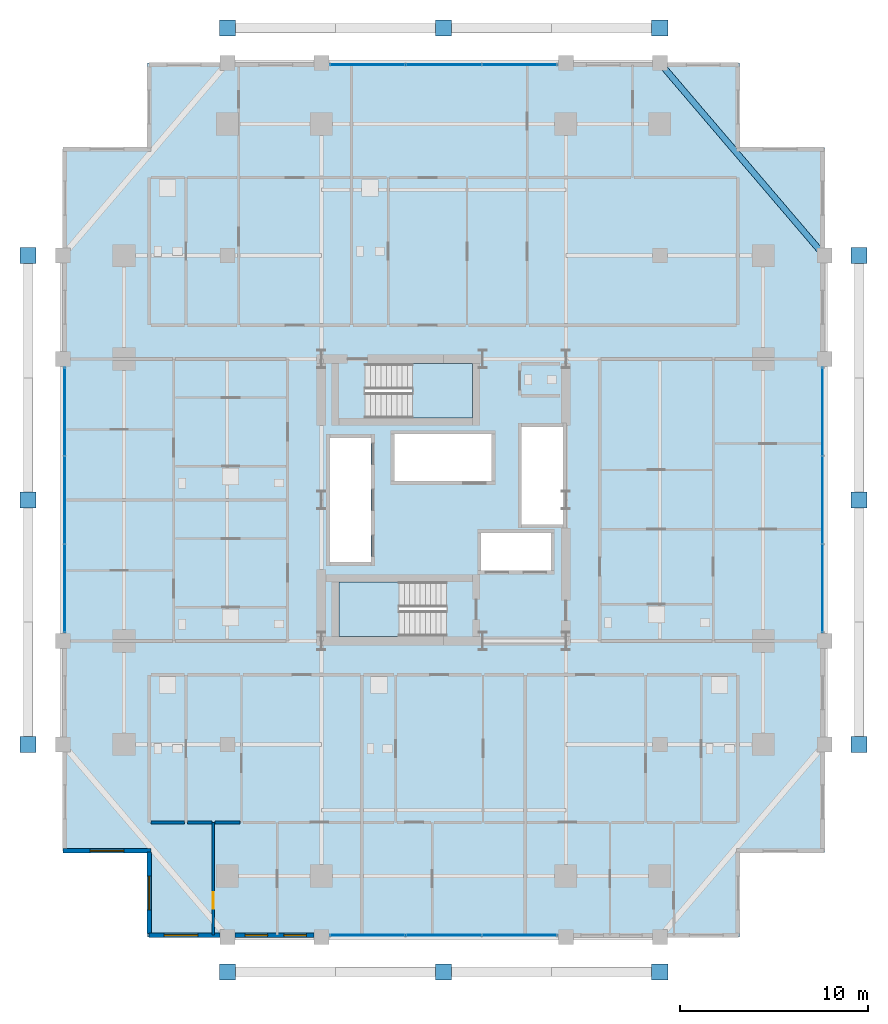
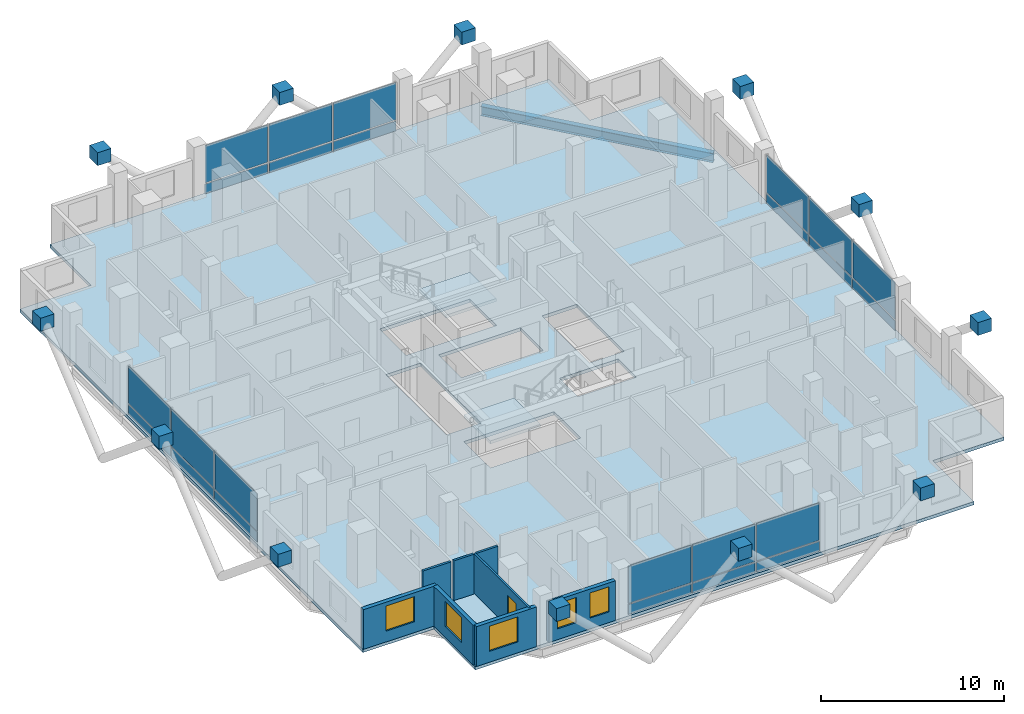
# One storey, part 16 of 23: 36 plates, 8 walls, 5 windows, 3 slabs, 1 beam, 1 door, 6 openings, 6 elements without a shape of their own.
"""IFC4 building model written with IfcOpenShell, lengths in metres."""

from ifc_helpers import new_model, si_unit, direction, frame, frame_2d, origin, origin_2d, place, context, subcontext, project, spatial, polyline, rectangle, i_section, outline, extrude, material, layer, layer_set, material_profile, profile_set, type_object, element, fill, aggregate, save


model = new_model("IFC4")

# Units and contexts
model_context = context("Model", 3, precision=1e-05, world=origin(), true_north=direction((0.0, 1.0)))
body_context = subcontext(model_context, "Body", "Model", "MODEL_VIEW")
ifc_project = project(units=[si_unit("LENGTHUNIT", "METRE"), si_unit("AREAUNIT", "SQUARE_METRE"), si_unit("VOLUMEUNIT", "CUBIC_METRE"), si_unit("PLANEANGLEUNIT", "RADIAN"), si_unit("MASSUNIT", "GRAM", prefix="KILO")], contexts=[model_context])

# Site, building, storey
site_placement = place(None, origin())
site = spatial("IfcSite", under=ifc_project, at=site_placement, CompositionType="ELEMENT")
building_placement = place(site_placement, origin())
building = spatial("IfcBuilding", under=site, at=building_placement, Name="Barlavira Tower and Art Museum", CompositionType="ELEMENT")
storey_placement = place(building_placement, frame((0.0, 0.0, 117.0)))
storey = spatial("IfcBuildingStorey", under=building, at=storey_placement, Name="L29", CompositionType="ELEMENT", Elevation=117.0)

# Beam
ifc_material_1 = material(Name="Steel S355", Category="steel")
ifc_material_profile = material_profile(ifc_material_1, i_section(OverallWidth=0.327880859375, OverallDepth=0.62890625, WebThickness=0.013916015625, FlangeThickness=0.021484375, at=origin_2d()), Name="W610x174.0")
ifc_profile_set = profile_set([ifc_material_profile], Name="Steel S355")
beam_type = type_object("IfcBeamType", Name="Perimeter Spandrel Edge Beam W610x174 Steel S355", PredefinedType="SPANDREL", material=ifc_profile_set)
beam_placement = place(storey_placement, frame((20.25, 13.0, -0.534423828125), z_axis=(-0.649262379928, 0.760564502202, 0.0), x_axis=(-0.760564502202, -0.649262379928, 0.0)))
element("IfcBeam", 1, at=beam_placement, inside=storey, type_object=beam_type, Name="L29 Spandrel 8", PredefinedType="SPANDREL", context=body_context, shape_type="SweptSolid", body=[
    extrude(i_section(OverallWidth=0.327880859375, OverallDepth=0.62890625, WebThickness=0.013916015625, FlangeThickness=0.021484375, at=origin_2d()), origin(), (0.0, 0.0, 1.0), 13.476806640625),
])

# Curtain wall, plates
ifc_material_2 = material(Name="Low-iron coastal laminated glass", Category="glass")
ifc_layer_1 = layer(ifc_material_2, 0.18994140625, Name="Low-iron coastal laminated glass")
ifc_layer_set_1 = layer_set([ifc_layer_1], Name="Low-iron coastal laminated glass")
curtain_wall_type = type_object("IfcCurtainWallType", Name="Pale-Metal Unitised Curtain Wall Zone 2", PredefinedType="NOTDEFINED", material=ifc_layer_set_1)
curtain_wall_1_placement = place(storey_placement, origin())
curtain_wall_1 = element("IfcCurtainWall", 2, at=curtain_wall_1_placement, inside=storey, type_object=curtain_wall_type, Name="L29 Curtain Wall CW2-L29-S-B3", PredefinedType="NOTDEFINED")
ifc_material_3 = material(Name="Pale anodised aluminium", Category="aluminium")
ifc_layer_2 = layer(ifc_material_3, 0.044921875, Name="Pale anodised aluminium")
ifc_layer_set_2 = layer_set([ifc_layer_2], Name="Pale anodised aluminium")
plate_type_1 = type_object("IfcPlateType", Name="Curtain Wall Pale-Metal Spandrel Panel 45", PredefinedType="CURTAIN_PANEL", material=ifc_layer_set_2)
plate_1_placement = place(storey_placement, frame((-4.05322265625, -23.14990234375, 0.0400390625), z_axis=(0.0, 0.0, 1.0), x_axis=(1.0, 0.0, 0.0)))
plate_1 = element("IfcPlate", 3, at=plate_1_placement, type_object=plate_type_1, Name="CW2-L29-S-B3 Spandrel Panel 0", PredefinedType="CURTAIN_PANEL", context=body_context, shape_type="SweptSolid", body=[
    extrude(rectangle(XDim=3.953369140625, YDim=0.044921875, at=origin_2d()), origin(), (0.0, 0.0, 1.0), 0.64599609375),
])
plate_2_placement = place(storey_placement, frame((0.0, -23.14990234375, 0.0400390625), z_axis=(0.0, 0.0, 1.0), x_axis=(1.0, 0.0, 0.0)))
plate_2 = element("IfcPlate", 4, at=plate_2_placement, type_object=plate_type_1, Name="CW2-L29-S-B3 Spandrel Panel 1", PredefinedType="CURTAIN_PANEL", context=body_context, shape_type="SweptSolid", body=[
    extrude(rectangle(XDim=3.953369140625, YDim=0.044921875, at=origin_2d()), origin(), (0.0, 0.0, 1.0), 0.64599609375),
])
plate_3_placement = place(storey_placement, frame((4.05322265625, -23.14990234375, 0.0400390625), z_axis=(0.0, 0.0, 1.0), x_axis=(1.0, 0.0, 0.0)))
plate_3 = element("IfcPlate", 5, at=plate_3_placement, type_object=plate_type_1, Name="CW2-L29-S-B3 Spandrel Panel 2", PredefinedType="CURTAIN_PANEL", context=body_context, shape_type="SweptSolid", body=[
    extrude(rectangle(XDim=3.953369140625, YDim=0.044921875, at=origin_2d()), origin(), (0.0, 0.0, 1.0), 0.64599609375),
])

curtain_wall_2_placement = place(storey_placement, origin())
curtain_wall_2 = element("IfcCurtainWall", 6, at=curtain_wall_2_placement, inside=storey, type_object=curtain_wall_type, Name="L29 Curtain Wall CW2-L29-N-B3", PredefinedType="NOTDEFINED")
plate_4_placement = place(storey_placement, frame((4.05322265625, 23.14990234375, 0.0400390625), z_axis=(0.0, 0.0, 1.0), x_axis=(-1.0, 0.0, 0.0)))
plate_4 = element("IfcPlate", 7, at=plate_4_placement, type_object=plate_type_1, Name="CW2-L29-N-B3 Spandrel Panel 0", PredefinedType="CURTAIN_PANEL", context=body_context, shape_type="SweptSolid", body=[
    extrude(rectangle(XDim=3.953369140625, YDim=0.044921875, at=origin_2d()), origin(), (0.0, 0.0, 1.0), 0.64599609375),
])
plate_5_placement = place(storey_placement, frame((0.0, 23.14990234375, 0.0400390625), z_axis=(0.0, 0.0, 1.0), x_axis=(-1.0, 0.0, 0.0)))
plate_5 = element("IfcPlate", 8, at=plate_5_placement, type_object=plate_type_1, Name="CW2-L29-N-B3 Spandrel Panel 1", PredefinedType="CURTAIN_PANEL", context=body_context, shape_type="SweptSolid", body=[
    extrude(rectangle(XDim=3.953369140625, YDim=0.044921875, at=origin_2d()), origin(), (0.0, 0.0, 1.0), 0.64599609375),
])
plate_6_placement = place(storey_placement, frame((-4.05322265625, 23.14990234375, 0.0400390625), z_axis=(0.0, 0.0, 1.0), x_axis=(-1.0, 0.0, 0.0)))
plate_6 = element("IfcPlate", 9, at=plate_6_placement, type_object=plate_type_1, Name="CW2-L29-N-B3 Spandrel Panel 2", PredefinedType="CURTAIN_PANEL", context=body_context, shape_type="SweptSolid", body=[
    extrude(rectangle(XDim=3.953369140625, YDim=0.044921875, at=origin_2d()), origin(), (0.0, 0.0, 1.0), 0.64599609375),
])

curtain_wall_3_placement = place(storey_placement, origin())
curtain_wall_3 = element("IfcCurtainWall", 10, at=curtain_wall_3_placement, inside=storey, type_object=curtain_wall_type, Name="L29 Curtain Wall CW2-L29-W-B3", PredefinedType="NOTDEFINED")
plate_7_placement = place(storey_placement, frame((-20.14990234375, 4.719970703125, 0.0400390625), z_axis=(0.0, 0.0, 1.0), x_axis=(0.0, -1.0, 0.0)))
plate_7 = element("IfcPlate", 11, at=plate_7_placement, type_object=plate_type_1, Name="CW2-L29-W-B3 Spandrel Panel 0", PredefinedType="CURTAIN_PANEL", context=body_context, shape_type="SweptSolid", body=[
    extrude(rectangle(XDim=4.6201171875, YDim=0.044921875, at=origin_2d()), origin(), (0.0, 0.0, 1.0), 0.64599609375),
])
plate_8_placement = place(storey_placement, frame((-20.14990234375, 0.0, 0.0400390625), z_axis=(0.0, 0.0, 1.0), x_axis=(0.0, -1.0, 0.0)))
plate_8 = element("IfcPlate", 12, at=plate_8_placement, type_object=plate_type_1, Name="CW2-L29-W-B3 Spandrel Panel 1", PredefinedType="CURTAIN_PANEL", context=body_context, shape_type="SweptSolid", body=[
    extrude(rectangle(XDim=4.6201171875, YDim=0.044921875, at=origin_2d()), origin(), (0.0, 0.0, 1.0), 0.64599609375),
])
plate_9_placement = place(storey_placement, frame((-20.14990234375, -4.719970703125, 0.0400390625), z_axis=(0.0, 0.0, 1.0), x_axis=(0.0, -1.0, 0.0)))
plate_9 = element("IfcPlate", 13, at=plate_9_placement, type_object=plate_type_1, Name="CW2-L29-W-B3 Spandrel Panel 2", PredefinedType="CURTAIN_PANEL", context=body_context, shape_type="SweptSolid", body=[
    extrude(rectangle(XDim=4.6201171875, YDim=0.044921875, at=origin_2d()), origin(), (0.0, 0.0, 1.0), 0.64599609375),
])

curtain_wall_4_placement = place(storey_placement, origin())
curtain_wall_4 = element("IfcCurtainWall", 14, at=curtain_wall_4_placement, inside=storey, type_object=curtain_wall_type, Name="L29 Curtain Wall CW2-L29-E-B3", PredefinedType="NOTDEFINED")
plate_10_placement = place(storey_placement, frame((20.14990234375, -4.719970703125, 0.0400390625), z_axis=(0.0, 0.0, 1.0), x_axis=(0.0, 1.0, 0.0)))
plate_10 = element("IfcPlate", 15, at=plate_10_placement, type_object=plate_type_1, Name="CW2-L29-E-B3 Spandrel Panel 0", PredefinedType="CURTAIN_PANEL", context=body_context, shape_type="SweptSolid", body=[
    extrude(rectangle(XDim=4.6201171875, YDim=0.044921875, at=origin_2d()), origin(), (0.0, 0.0, 1.0), 0.64599609375),
])
plate_11_placement = place(storey_placement, frame((20.14990234375, 0.0, 0.0400390625), z_axis=(0.0, 0.0, 1.0), x_axis=(0.0, 1.0, 0.0)))
plate_11 = element("IfcPlate", 16, at=plate_11_placement, type_object=plate_type_1, Name="CW2-L29-E-B3 Spandrel Panel 1", PredefinedType="CURTAIN_PANEL", context=body_context, shape_type="SweptSolid", body=[
    extrude(rectangle(XDim=4.6201171875, YDim=0.044921875, at=origin_2d()), origin(), (0.0, 0.0, 1.0), 0.64599609375),
])
plate_12_placement = place(storey_placement, frame((20.14990234375, 4.719970703125, 0.0400390625), z_axis=(0.0, 0.0, 1.0), x_axis=(0.0, 1.0, 0.0)))
plate_12 = element("IfcPlate", 17, at=plate_12_placement, type_object=plate_type_1, Name="CW2-L29-E-B3 Spandrel Panel 2", PredefinedType="CURTAIN_PANEL", context=body_context, shape_type="SweptSolid", body=[
    extrude(rectangle(XDim=4.6201171875, YDim=0.044921875, at=origin_2d()), origin(), (0.0, 0.0, 1.0), 0.64599609375),
])

# Plate
ifc_layer_3 = layer(ifc_material_2, 0.028076171875, Name="Low-iron coastal laminated glass")
ifc_layer_set_3 = layer_set([ifc_layer_3], Name="Low-iron coastal laminated glass")
plate_type_2 = type_object("IfcPlateType", Name="Curtain Wall Vision Glazing Panel 28", PredefinedType="CURTAIN_PANEL", material=ifc_layer_set_3)
plate_13_placement = place(storey_placement, frame((-4.05322265625, -23.14990234375, 0.76611328125), z_axis=(0.0, 0.0, 1.0), x_axis=(1.0, 0.0, 0.0)))
plate_13 = element("IfcPlate", 18, at=plate_13_placement, type_object=plate_type_2, Name="CW2-L29-S-B3 Vision Glass Panel 0", PredefinedType="CURTAIN_PANEL", context=body_context, shape_type="SweptSolid", body=[
    extrude(rectangle(XDim=3.953369140625, YDim=0.028076171875, at=origin_2d()), origin(), (0.0, 0.0, 1.0), 2.493896484375),
])

plate_14_placement = place(storey_placement, frame((0.0, -23.14990234375, 0.76611328125), z_axis=(0.0, 0.0, 1.0), x_axis=(1.0, 0.0, 0.0)))
plate_14 = element("IfcPlate", 19, at=plate_14_placement, type_object=plate_type_2, Name="CW2-L29-S-B3 Vision Glass Panel 1", PredefinedType="CURTAIN_PANEL", context=body_context, shape_type="SweptSolid", body=[
    extrude(rectangle(XDim=3.953369140625, YDim=0.028076171875, at=origin_2d()), origin(), (0.0, 0.0, 1.0), 2.493896484375),
])

plate_15_placement = place(storey_placement, frame((4.05322265625, -23.14990234375, 0.76611328125), z_axis=(0.0, 0.0, 1.0), x_axis=(1.0, 0.0, 0.0)))
plate_15 = element("IfcPlate", 20, at=plate_15_placement, type_object=plate_type_2, Name="CW2-L29-S-B3 Vision Glass Panel 2", PredefinedType="CURTAIN_PANEL", context=body_context, shape_type="SweptSolid", body=[
    extrude(rectangle(XDim=3.953369140625, YDim=0.028076171875, at=origin_2d()), origin(), (0.0, 0.0, 1.0), 2.493896484375),
])

aggregate(curtain_wall_1, [plate_1, plate_13, plate_2, plate_14, plate_3, plate_15])

plate_16_placement = place(storey_placement, frame((4.05322265625, 23.14990234375, 0.76611328125), z_axis=(0.0, 0.0, 1.0), x_axis=(-1.0, 0.0, 0.0)))
plate_16 = element("IfcPlate", 21, at=plate_16_placement, type_object=plate_type_2, Name="CW2-L29-N-B3 Vision Glass Panel 0", PredefinedType="CURTAIN_PANEL", context=body_context, shape_type="SweptSolid", body=[
    extrude(rectangle(XDim=3.953369140625, YDim=0.028076171875, at=origin_2d()), origin(), (0.0, 0.0, 1.0), 2.493896484375),
])

plate_17_placement = place(storey_placement, frame((0.0, 23.14990234375, 0.76611328125), z_axis=(0.0, 0.0, 1.0), x_axis=(-1.0, 0.0, 0.0)))
plate_17 = element("IfcPlate", 22, at=plate_17_placement, type_object=plate_type_2, Name="CW2-L29-N-B3 Vision Glass Panel 1", PredefinedType="CURTAIN_PANEL", context=body_context, shape_type="SweptSolid", body=[
    extrude(rectangle(XDim=3.953369140625, YDim=0.028076171875, at=origin_2d()), origin(), (0.0, 0.0, 1.0), 2.493896484375),
])

plate_18_placement = place(storey_placement, frame((-4.05322265625, 23.14990234375, 0.76611328125), z_axis=(0.0, 0.0, 1.0), x_axis=(-1.0, 0.0, 0.0)))
plate_18 = element("IfcPlate", 23, at=plate_18_placement, type_object=plate_type_2, Name="CW2-L29-N-B3 Vision Glass Panel 2", PredefinedType="CURTAIN_PANEL", context=body_context, shape_type="SweptSolid", body=[
    extrude(rectangle(XDim=3.953369140625, YDim=0.028076171875, at=origin_2d()), origin(), (0.0, 0.0, 1.0), 2.493896484375),
])

aggregate(curtain_wall_2, [plate_4, plate_16, plate_5, plate_17, plate_6, plate_18])

plate_19_placement = place(storey_placement, frame((-20.14990234375, 4.719970703125, 0.76611328125), z_axis=(0.0, 0.0, 1.0), x_axis=(0.0, -1.0, 0.0)))
plate_19 = element("IfcPlate", 24, at=plate_19_placement, type_object=plate_type_2, Name="CW2-L29-W-B3 Vision Glass Panel 0", PredefinedType="CURTAIN_PANEL", context=body_context, shape_type="SweptSolid", body=[
    extrude(rectangle(XDim=4.6201171875, YDim=0.028076171875, at=origin_2d()), origin(), (0.0, 0.0, 1.0), 2.493896484375),
])

plate_20_placement = place(storey_placement, frame((-20.14990234375, 0.0, 0.76611328125), z_axis=(0.0, 0.0, 1.0), x_axis=(0.0, -1.0, 0.0)))
plate_20 = element("IfcPlate", 25, at=plate_20_placement, type_object=plate_type_2, Name="CW2-L29-W-B3 Vision Glass Panel 1", PredefinedType="CURTAIN_PANEL", context=body_context, shape_type="SweptSolid", body=[
    extrude(rectangle(XDim=4.6201171875, YDim=0.028076171875, at=origin_2d()), origin(), (0.0, 0.0, 1.0), 2.493896484375),
])

plate_21_placement = place(storey_placement, frame((-20.14990234375, -4.719970703125, 0.76611328125), z_axis=(0.0, 0.0, 1.0), x_axis=(0.0, -1.0, 0.0)))
plate_21 = element("IfcPlate", 26, at=plate_21_placement, type_object=plate_type_2, Name="CW2-L29-W-B3 Vision Glass Panel 2", PredefinedType="CURTAIN_PANEL", context=body_context, shape_type="SweptSolid", body=[
    extrude(rectangle(XDim=4.6201171875, YDim=0.028076171875, at=origin_2d()), origin(), (0.0, 0.0, 1.0), 2.493896484375),
])

aggregate(curtain_wall_3, [plate_7, plate_19, plate_8, plate_20, plate_9, plate_21])

plate_22_placement = place(storey_placement, frame((20.14990234375, -4.719970703125, 0.76611328125), z_axis=(0.0, 0.0, 1.0), x_axis=(0.0, 1.0, 0.0)))
plate_22 = element("IfcPlate", 27, at=plate_22_placement, type_object=plate_type_2, Name="CW2-L29-E-B3 Vision Glass Panel 0", PredefinedType="CURTAIN_PANEL", context=body_context, shape_type="SweptSolid", body=[
    extrude(rectangle(XDim=4.6201171875, YDim=0.028076171875, at=origin_2d()), origin(), (0.0, 0.0, 1.0), 2.493896484375),
])

plate_23_placement = place(storey_placement, frame((20.14990234375, 0.0, 0.76611328125), z_axis=(0.0, 0.0, 1.0), x_axis=(0.0, 1.0, 0.0)))
plate_23 = element("IfcPlate", 28, at=plate_23_placement, type_object=plate_type_2, Name="CW2-L29-E-B3 Vision Glass Panel 1", PredefinedType="CURTAIN_PANEL", context=body_context, shape_type="SweptSolid", body=[
    extrude(rectangle(XDim=4.6201171875, YDim=0.028076171875, at=origin_2d()), origin(), (0.0, 0.0, 1.0), 2.493896484375),
])

plate_24_placement = place(storey_placement, frame((20.14990234375, 4.719970703125, 0.76611328125), z_axis=(0.0, 0.0, 1.0), x_axis=(0.0, 1.0, 0.0)))
plate_24 = element("IfcPlate", 29, at=plate_24_placement, type_object=plate_type_2, Name="CW2-L29-E-B3 Vision Glass Panel 2", PredefinedType="CURTAIN_PANEL", context=body_context, shape_type="SweptSolid", body=[
    extrude(rectangle(XDim=4.6201171875, YDim=0.028076171875, at=origin_2d()), origin(), (0.0, 0.0, 1.0), 2.493896484375),
])

aggregate(curtain_wall_4, [plate_10, plate_22, plate_11, plate_23, plate_12, plate_24])

# Plates
ifc_layer_4 = layer(ifc_material_1, 0.860107421875, Name="Steel S355")
ifc_layer_set_4 = layer_set([ifc_layer_4], Name="Steel S355")
plate_type_3 = type_object("IfcPlateType", Name="Exoskeleton Solid Steel Node Cap Plate Assembly Type 2 Steel S355", PredefinedType="USERDEFINED", material=ifc_layer_set_4)
for number, where, z_axis, x_axis, name in (
    (30, (-11.5, -25.10009765625, 3.0498046875), (0.0, 0.0, 1.0), (1.0, 0.0, 0.0), "Exoskeleton Node S ND-L29-0281"),
    (31, (0.0, -25.10009765625, 3.0498046875), (0.0, 0.0, 1.0), (1.0, 0.0, 0.0), "Exoskeleton Node S ND-L29-0282"),
    (32, (11.5, -25.10009765625, 3.0498046875), (0.0, 0.0, 1.0), (1.0, 0.0, 0.0), "Exoskeleton Node S ND-L29-0283"),
    (33, (-11.5, 25.10009765625, 3.0498046875), (0.0, 0.0, 1.0), (1.0, 0.0, 0.0), "Exoskeleton Node N ND-L29-0289"),
    (34, (0.0, 25.10009765625, 3.0498046875), (0.0, 0.0, 1.0), (1.0, 0.0, 0.0), "Exoskeleton Node N ND-L29-0290"),
    (35, (11.5, 25.10009765625, 3.0498046875), (0.0, 0.0, 1.0), (1.0, 0.0, 0.0), "Exoskeleton Node N ND-L29-0291"),
    (36, (-22.10009765625, -13.0, 3.0498046875), (0.0, 0.0, 1.0), (1.0, 0.0, 0.0), "Exoskeleton Node W ND-L29-0297"),
    (37, (-22.10009765625, 0.0, 3.0498046875), (0.0, 0.0, 1.0), (1.0, 0.0, 0.0), "Exoskeleton Node W ND-L29-0298"),
    (38, (-22.10009765625, 13.0, 3.0498046875), (0.0, 0.0, 1.0), (1.0, 0.0, 0.0), "Exoskeleton Node W ND-L29-0299"),
    (39, (22.10009765625, -13.0, 3.0498046875), (0.0, 0.0, 1.0), (1.0, 0.0, 0.0), "Exoskeleton Node E ND-L29-0305"),
    (40, (22.10009765625, 0.0, 3.0498046875), (0.0, 0.0, 1.0), (1.0, 0.0, 0.0), "Exoskeleton Node E ND-L29-0306"),
    (41, (22.10009765625, 13.0, 3.0498046875), (0.0, 0.0, 1.0), (1.0, 0.0, 0.0), "Exoskeleton Node E ND-L29-0307"),
):
    element("IfcPlate", number, at=place(storey_placement, frame(where, z_axis=z_axis, x_axis=x_axis)), inside=storey, type_object=plate_type_3, Name=name, ObjectType="FLANGE_PLATE", PredefinedType="USERDEFINED", context=body_context, shape_type="SweptSolid", body=[
        extrude(rectangle(XDim=0.860107421875, YDim=0.860107421875, at=origin_2d()), origin(), (0.0, 0.0, 1.0), 0.860107421875),
    ])

# Stair, slab
ifc_material_4 = material(Name="Concrete C45", Category="concrete")
stair_type_1 = type_object("IfcStairType", Name="Tower North Dog-Leg Exit Stair Assembly Concrete C45", PredefinedType="TWO_QUARTER_TURN_STAIR", material=ifc_material_4)
stair_1_placement = place(storey_placement, origin())
stair_1 = element("IfcStair", 42, at=stair_1_placement, inside=storey, type_object=stair_type_1, Name="L29 Tower North Exit Stair ST-T2", PredefinedType="TWO_QUARTER_TURN_STAIR")
ifc_layer_5 = layer(ifc_material_4, 0.199951171875, Name="Concrete C45")
ifc_layer_set_5 = layer_set([ifc_layer_5], Name="Concrete C45")
slab_type_1 = type_object("IfcSlabType", Name="Tower North Dog-Leg Exit Stair Half-Landing Slab 200 Concrete C45", PredefinedType="LANDING", material=ifc_layer_set_5)
slab_1_placement = place(storey_placement, frame((0.0, 0.0, 1.60009765625)))
slab_1 = element("IfcSlab", 43, at=slab_1_placement, type_object=slab_type_1, Name="ST-T2 landing 1", PredefinedType="LANDING", context=body_context, shape_type="SweptSolid", body=[
    extrude(outline(polyline([(-1.64990234375, 4.35009765625), (1.530029296875, 4.35009765625), (1.530029296875, 7.25), (-1.64990234375, 7.25), (-1.64990234375, 4.35009765625)])), origin(), (0.0, 0.0, 1.0), 0.199951171875),
])
aggregate(stair_1, [slab_1])

stair_type_2 = type_object("IfcStairType", Name="Tower South Dog-Leg Exit Stair Assembly Concrete C45", PredefinedType="TWO_QUARTER_TURN_STAIR", material=ifc_material_4)
stair_2_placement = place(storey_placement, origin())
stair_2 = element("IfcStair", 44, at=stair_2_placement, inside=storey, type_object=stair_type_2, Name="L29 Tower South Exit Stair ST-T1", PredefinedType="TWO_QUARTER_TURN_STAIR")
ifc_layer_6 = layer(ifc_material_4, 0.199951171875, Name="Concrete C45")
ifc_layer_set_6 = layer_set([ifc_layer_6], Name="Concrete C45")
slab_type_2 = type_object("IfcSlabType", Name="Tower South Dog-Leg Exit Stair Half-Landing Slab 200 Concrete C45", PredefinedType="LANDING", material=ifc_layer_set_6)
slab_2_placement = place(storey_placement, frame((0.0, 0.0, 1.60009765625)))
slab_2 = element("IfcSlab", 45, at=slab_2_placement, type_object=slab_type_2, Name="ST-T1 landing 1", PredefinedType="LANDING", context=body_context, shape_type="SweptSolid", body=[
    extrude(outline(polyline([(-2.3701171875, -4.35009765625), (-5.550048828125, -4.35009765625), (-5.550048828125, -7.25), (-2.3701171875, -7.25), (-2.3701171875, -4.35009765625)])), origin(), (0.0, 0.0, 1.0), 0.199951171875),
])
aggregate(stair_2, [slab_2])

# Slab
ifc_material_5 = material(Name="Concrete C50", Category="concrete")
ifc_layer_7 = layer(ifc_material_5, 0.2099609375, Name="Concrete C50")
ifc_layer_set_7 = layer_set([ifc_layer_7], Name="Concrete C50")
slab_type_3 = type_object("IfcSlabType", Name="Zone 2 Residential Composite Slab 210 Concrete C50", PredefinedType="FLOOR", material=ifc_layer_set_7)
slab_3_placement = place(storey_placement, frame((0.0, 0.0, -0.219970703125)))
element("IfcSlab", 46, at=slab_3_placement, inside=storey, type_object=slab_type_3, Name="L29 Tower Floor Slab", PredefinedType="FLOOR", context=body_context, shape_type="SweptSolid", body=[
    extrude(outline(polyline([(-15.75, -23.25), (15.75, -23.25), (15.75, -18.75), (20.25, -18.75), (20.25, 18.75), (15.75, 18.75), (15.75, 23.25), (-15.75, 23.25), (-15.75, 18.75), (-20.25, 18.75), (-20.25, -18.75), (-15.75, -18.75), (-15.75, -23.25)]), holes=[polyline([(0.14990234375, -4.35009765625), (-5.550048828125, -4.35009765625), (-5.550048828125, -7.25), (0.14990234375, -7.25), (0.14990234375, -4.35009765625)]), polyline([(-4.169921875, 4.35009765625), (1.530029296875, 4.35009765625), (1.530029296875, 7.25), (-4.169921875, 7.25), (-4.169921875, 4.35009765625)]), polyline([(-6.050048828125, -3.31005859375), (-3.85009765625, -3.31005859375), (-3.85009765625, 3.31005859375), (-6.050048828125, 3.31005859375), (-6.050048828125, -3.31005859375)]), polyline([(4.14990234375, -1.2900390625), (6.35009765625, -1.2900390625), (6.35009765625, 3.889892578125), (4.14990234375, 3.889892578125), (4.14990234375, -1.2900390625)]), polyline([(-2.6201171875, 1.0), (2.56005859375, 1.0), (2.56005859375, 3.5), (-2.6201171875, 3.5), (-2.6201171875, 1.0)]), polyline([(2.0, -3.75), (5.699951171875, -3.75), (5.699951171875, -1.75), (2.0, -1.75), (2.0, -3.75)])]), origin(), (0.0, 0.0, 1.0), 0.219970703125),
])

# Wall, opening, door
ifc_material_6 = material(Name="Gypsum acoustic stud partition", Category="gypsum")
ifc_layer_8 = layer(ifc_material_6, 0.1201171875, Name="Gypsum acoustic stud partition")
ifc_layer_set_8 = layer_set([ifc_layer_8], Name="Gypsum acoustic stud partition")
wall_type_1 = type_object("IfcWallType", Name="Apartment Internal Acoustic Partition 120", PredefinedType="PARTITIONING", material=ifc_layer_set_8)
wall_1_placement = place(storey_placement, frame((-12.25, -23.14990234375, 0.0), z_axis=(0.0, 0.0, 1.0), x_axis=(0.0, 1.0, 0.0)))
wall_1 = element("IfcWall", 47, at=wall_1_placement, inside=storey, type_object=wall_type_1, Name="L29 Partition Wall 6", PredefinedType="PARTITIONING", context=body_context, shape_type="SweptSolid", body=[
    extrude(rectangle(XDim=6.0, YDim=0.1201171875, at=frame_2d((3.0, 0.0))), origin(), (0.0, 0.0, 1.0), 2.656005859375),
])
opening_1_placement = place(wall_1_placement, frame((1.39892578125, 0.0, 0.0)))
opening_1 = element("IfcOpeningElement", 48, at=opening_1_placement, cuts=wall_1, Name="Opening D-01", PredefinedType="OPENING", context=body_context, shape_type="SweptSolid", body=[
    extrude(rectangle(XDim=0.89990234375, YDim=2.10009765625, at=frame_2d((0.449951171875, 1.050048828125))), frame((0.0, 0.070068359375, 0.0), z_axis=(0.0, -1.0, 0.0), x_axis=(1.0, 0.0, 0.0)), (0.0, 0.0, 1.0), 0.14013671875),
])
ifc_material_7 = material(Name="Engineered coastal hardwood", Category="wood")
door_type = type_object("IfcDoorType", Name="Internal Bedroom Timber Flush Door 900x2100", OperationType="NOTDEFINED", PredefinedType="DOOR", material=ifc_material_7)
door_placement = place(opening_1_placement, origin())
door = element("IfcDoor", 49, at=door_placement, inside=storey, type_object=door_type, Name="Apartment S1 Bedroom 2 Door", OperationType="SINGLE_SWING_RIGHT", OverallHeight=2.10009765625, OverallWidth=0.89990234375, PredefinedType="DOOR", context=body_context, shape_type="SweptSolid", body=[
    extrude(rectangle(XDim=0.89990234375, YDim=2.10009765625, at=frame_2d((0.449951171875, 1.050048828125))), frame((0.0, 0.02490234375, 0.0), z_axis=(0.0, -1.0, 0.0), x_axis=(1.0, 0.0, 0.0)), (0.0, 0.0, 1.0), 0.050048828125),
])
fill(opening_1, door)

# Walls
ifc_layer_9 = layer(ifc_material_6, 0.139892578125, Name="Gypsum acoustic stud partition")
ifc_layer_set_9 = layer_set([ifc_layer_9], Name="Gypsum acoustic stud partition")
wall_type_2 = type_object("IfcWallType", Name="Moisture-Resistant Bathroom Partition 140", PredefinedType="PARTITIONING", material=ifc_layer_set_9)
wall_2_placement = place(storey_placement, frame((-15.570068359375, -17.14990234375, 0.0), z_axis=(0.0, 0.0, 1.0), x_axis=(1.0, 0.0, 0.0)))
element("IfcWall", 50, at=wall_2_placement, inside=storey, type_object=wall_type_2, Name="L29 Partition Wall 30", PredefinedType="PARTITIONING", context=body_context, shape_type="SweptSolid", body=[
    extrude(rectangle(XDim=1.7900390625, YDim=0.139892578125, at=frame_2d((0.89501953125, 0.0))), origin(), (0.0, 0.0, 1.0), 2.656005859375),
])
wall_3_placement = place(storey_placement, frame((-13.6201171875, -17.14990234375, 0.0), z_axis=(0.0, 0.0, 1.0), x_axis=(1.0, 0.0, 0.0)))
element("IfcWall", 51, at=wall_3_placement, inside=storey, type_object=wall_type_2, Name="L29 Partition Wall 31", PredefinedType="PARTITIONING", context=body_context, shape_type="SweptSolid", body=[
    extrude(rectangle(XDim=1.2900390625, YDim=0.139892578125, at=frame_2d((0.64501953125, 0.0))), origin(), (0.0, 0.0, 1.0), 2.656005859375),
])
wall_4_placement = place(storey_placement, frame((-12.169921875, -17.14990234375, 0.0), z_axis=(0.0, 0.0, 1.0), x_axis=(1.0, 0.0, 0.0)))
element("IfcWall", 52, at=wall_4_placement, inside=storey, type_object=wall_type_2, Name="L29 Partition Wall 32", PredefinedType="PARTITIONING", context=body_context, shape_type="SweptSolid", body=[
    extrude(rectangle(XDim=1.33984375, YDim=0.139892578125, at=frame_2d((0.669921875, 0.0))), origin(), (0.0, 0.0, 1.0), 2.656005859375),
])

# Wall, opening, window
ifc_material_8 = material(Name="Precast concrete C40", Category="concrete")
ifc_layer_10 = layer(ifc_material_8, 0.25, Name="Precast concrete C40")
ifc_layer_set_10 = layer_set([ifc_layer_10], Name="Precast concrete C40")
wall_type_3 = type_object("IfcWallType", Name="Notched Corner Spandrel Wall 250 Precast Concrete C40", PredefinedType="SOLIDWALL", material=ifc_layer_set_10)
wall_5_placement = place(storey_placement, frame((-15.675048828125, -23.14990234375, 0.0), z_axis=(0.0, 0.0, 1.0), x_axis=(1.0, 0.0, 0.0)))
wall_5 = element("IfcWall", 53, at=wall_5_placement, inside=storey, type_object=wall_type_3, Name="L29 Coastal Facade Pier Wall CW2-L29-S-1", PredefinedType="SOLIDWALL", context=body_context, shape_type="SweptSolid", body=[
    extrude(rectangle(XDim=3.780029296875, YDim=0.25, at=frame_2d((1.89013671875, 0.0))), origin(), (0.0, 0.0, 1.0), 2.656005859375),
])
opening_2_placement = place(wall_5_placement, frame((0.80810546875, 0.0, 0.719970703125)))
opening_2 = element("IfcOpeningElement", 54, at=opening_2_placement, cuts=wall_5, Name="Opening WN-01", PredefinedType="OPENING", context=body_context, shape_type="SweptSolid", body=[
    extrude(rectangle(XDim=1.800048828125, YDim=1.679931640625, at=frame_2d((0.89990234375, 0.83984375))), frame((0.0, 0.135009765625, 0.0), z_axis=(0.0, -1.0, 0.0), x_axis=(1.0, 0.0, 0.0)), (0.0, 0.0, 1.0), 0.27001953125),
])
window_type_1 = type_object("IfcWindowType", Name="Recessed Notch Corner Punch Window 1800x1680", PartitioningType="SINGLE_PANEL", PredefinedType="WINDOW", material=ifc_material_2)
window_1_placement = place(opening_2_placement, origin())
window_1 = element("IfcWindow", 55, at=window_1_placement, inside=storey, type_object=window_type_1, Name="L29 Punched Facade Window EWP-CW2-L29-S-1-1", OverallHeight=1.679931640625, OverallWidth=1.800048828125, PartitioningType="SINGLE_PANEL", PredefinedType="WINDOW", context=body_context, shape_type="SweptSolid", body=[
    extrude(rectangle(XDim=1.800048828125, YDim=1.679931640625, at=frame_2d((0.89990234375, 0.83984375))), frame((0.0, 0.030029296875, 0.0), z_axis=(0.0, -1.0, 0.0), x_axis=(1.0, 0.0, 0.0)), (0.0, 0.0, 1.0), 0.06005859375),
])
fill(opening_2, window_1)

# Wall, openings, windows
wall_6_placement = place(storey_placement, frame((-11.10498046875, -23.14990234375, 0.0), z_axis=(0.0, 0.0, 1.0), x_axis=(1.0, 0.0, 0.0)))
wall_6 = element("IfcWall", 56, at=wall_6_placement, inside=storey, type_object=wall_type_3, Name="L29 Coastal Facade Pier Wall CW2-L29-S-2", PredefinedType="SOLIDWALL", context=body_context, shape_type="SweptSolid", body=[
    extrude(rectangle(XDim=4.2099609375, YDim=0.25, at=frame_2d((2.10498046875, 0.0))), origin(), (0.0, 0.0, 1.0), 2.656005859375),
])
opening_3_placement = place(wall_6_placement, frame((0.544921875, 0.0, 0.719970703125)))
opening_3 = element("IfcOpeningElement", 57, at=opening_3_placement, cuts=wall_6, Name="Opening WN-05", PredefinedType="OPENING", context=body_context, shape_type="SweptSolid", body=[
    extrude(rectangle(XDim=1.199951171875, YDim=1.679931640625, at=frame_2d((0.60009765625, 0.83984375))), frame((0.0, 0.135009765625, 0.0), z_axis=(0.0, -1.0, 0.0), x_axis=(1.0, 0.0, 0.0)), (0.0, 0.0, 1.0), 0.27001953125),
])
opening_4_placement = place(wall_6_placement, frame((2.60498046875, 0.0, 0.719970703125)))
opening_4 = element("IfcOpeningElement", 58, at=opening_4_placement, cuts=wall_6, Name="Opening WN-05", PredefinedType="OPENING", context=body_context, shape_type="SweptSolid", body=[
    extrude(rectangle(XDim=1.199951171875, YDim=1.679931640625, at=frame_2d((0.60009765625, 0.83984375))), frame((0.0, 0.135009765625, 0.0), z_axis=(0.0, -1.0, 0.0), x_axis=(1.0, 0.0, 0.0)), (0.0, 0.0, 1.0), 0.27001953125),
])
window_type_2 = type_object("IfcWindowType", Name="Recessed Flank Pier Punch Window 1200x1680", PartitioningType="SINGLE_PANEL", PredefinedType="WINDOW", material=ifc_material_2)
window_2_placement = place(opening_3_placement, origin())
window_2 = element("IfcWindow", 59, at=window_2_placement, inside=storey, type_object=window_type_2, Name="L29 Punched Facade Window EWP-CW2-L29-S-2-1", OverallHeight=1.679931640625, OverallWidth=1.199951171875, PartitioningType="SINGLE_PANEL", PredefinedType="WINDOW", context=body_context, shape_type="SweptSolid", body=[
    extrude(rectangle(XDim=1.199951171875, YDim=1.679931640625, at=frame_2d((0.60009765625, 0.83984375))), frame((0.0, 0.030029296875, 0.0), z_axis=(0.0, -1.0, 0.0), x_axis=(1.0, 0.0, 0.0)), (0.0, 0.0, 1.0), 0.06005859375),
])
fill(opening_3, window_2)
window_3_placement = place(opening_4_placement, origin())
window_3 = element("IfcWindow", 60, at=window_3_placement, inside=storey, type_object=window_type_2, Name="L29 Punched Facade Window EWP-CW2-L29-S-2-2", OverallHeight=1.679931640625, OverallWidth=1.199951171875, PartitioningType="SINGLE_PANEL", PredefinedType="WINDOW", context=body_context, shape_type="SweptSolid", body=[
    extrude(rectangle(XDim=1.199951171875, YDim=1.679931640625, at=frame_2d((0.60009765625, 0.83984375))), frame((0.0, 0.030029296875, 0.0), z_axis=(0.0, -1.0, 0.0), x_axis=(1.0, 0.0, 0.0)), (0.0, 0.0, 1.0), 0.06005859375),
])
fill(opening_4, window_3)

# Wall, opening, window
wall_7_placement = place(storey_placement, frame((-20.22998046875, -18.64990234375, 0.0), z_axis=(0.0, 0.0, 1.0), x_axis=(1.0, 0.0, 0.0)))
wall_7 = element("IfcWall", 61, at=wall_7_placement, inside=storey, type_object=wall_type_3, Name="L29 Notch Corner Wall SW1", PredefinedType="SOLIDWALL", context=body_context, shape_type="SweptSolid", body=[
    extrude(rectangle(XDim=4.659912109375, YDim=0.25, at=frame_2d((2.330078125, 0.0))), origin(), (0.0, 0.0, 1.0), 2.656005859375),
])
opening_5_placement = place(wall_7_placement, frame((1.429931640625, 0.0, 0.719970703125)))
opening_5 = element("IfcOpeningElement", 62, at=opening_5_placement, cuts=wall_7, Name="Opening WN-01", PredefinedType="OPENING", context=body_context, shape_type="SweptSolid", body=[
    extrude(rectangle(XDim=1.800048828125, YDim=1.679931640625, at=frame_2d((0.89990234375, 0.83984375))), frame((0.0, 0.135009765625, 0.0), z_axis=(0.0, -1.0, 0.0), x_axis=(1.0, 0.0, 0.0)), (0.0, 0.0, 1.0), 0.27001953125),
])
window_4_placement = place(opening_5_placement, origin())
window_4 = element("IfcWindow", 63, at=window_4_placement, inside=storey, type_object=window_type_1, Name="L29 Punched Facade Window EW-NTC-L29-SW1-1", OverallHeight=1.679931640625, OverallWidth=1.800048828125, PartitioningType="SINGLE_PANEL", PredefinedType="WINDOW", context=body_context, shape_type="SweptSolid", body=[
    extrude(rectangle(XDim=1.800048828125, YDim=1.679931640625, at=frame_2d((0.89990234375, 0.83984375))), frame((0.0, 0.030029296875, 0.0), z_axis=(0.0, -1.0, 0.0), x_axis=(1.0, 0.0, 0.0)), (0.0, 0.0, 1.0), 0.06005859375),
])
fill(opening_5, window_4)

wall_8_placement = place(storey_placement, frame((-15.64990234375, -18.72998046875, 0.0), z_axis=(0.0, 0.0, 1.0), x_axis=(0.0, -1.0, 0.0)))
wall_8 = element("IfcWall", 64, at=wall_8_placement, inside=storey, type_object=wall_type_3, Name="L29 Notch Corner Wall SW2", PredefinedType="SOLIDWALL", context=body_context, shape_type="SweptSolid", body=[
    extrude(rectangle(XDim=4.340087890625, YDim=0.25, at=frame_2d((2.169921875, 0.0))), origin(), (0.0, 0.0, 1.0), 2.656005859375),
])
opening_6_placement = place(wall_8_placement, frame((1.27001953125, 0.0, 0.719970703125)))
opening_6 = element("IfcOpeningElement", 65, at=opening_6_placement, cuts=wall_8, Name="Opening WN-01", PredefinedType="OPENING", context=body_context, shape_type="SweptSolid", body=[
    extrude(rectangle(XDim=1.800048828125, YDim=1.679931640625, at=frame_2d((0.89990234375, 0.83984375))), frame((0.0, 0.135009765625, 0.0), z_axis=(0.0, -1.0, 0.0), x_axis=(1.0, 0.0, 0.0)), (0.0, 0.0, 1.0), 0.27001953125),
])
window_5_placement = place(opening_6_placement, origin())
window_5 = element("IfcWindow", 66, at=window_5_placement, inside=storey, type_object=window_type_1, Name="L29 Punched Facade Window EW-NTC-L29-SW2-1", OverallHeight=1.679931640625, OverallWidth=1.800048828125, PartitioningType="SINGLE_PANEL", PredefinedType="WINDOW", context=body_context, shape_type="SweptSolid", body=[
    extrude(rectangle(XDim=1.800048828125, YDim=1.679931640625, at=frame_2d((0.89990234375, 0.83984375))), frame((0.0, 0.030029296875, 0.0), z_axis=(0.0, -1.0, 0.0), x_axis=(1.0, 0.0, 0.0)), (0.0, 0.0, 1.0), 0.06005859375),
])
fill(opening_6, window_5)

save(model, "model.ifc")
